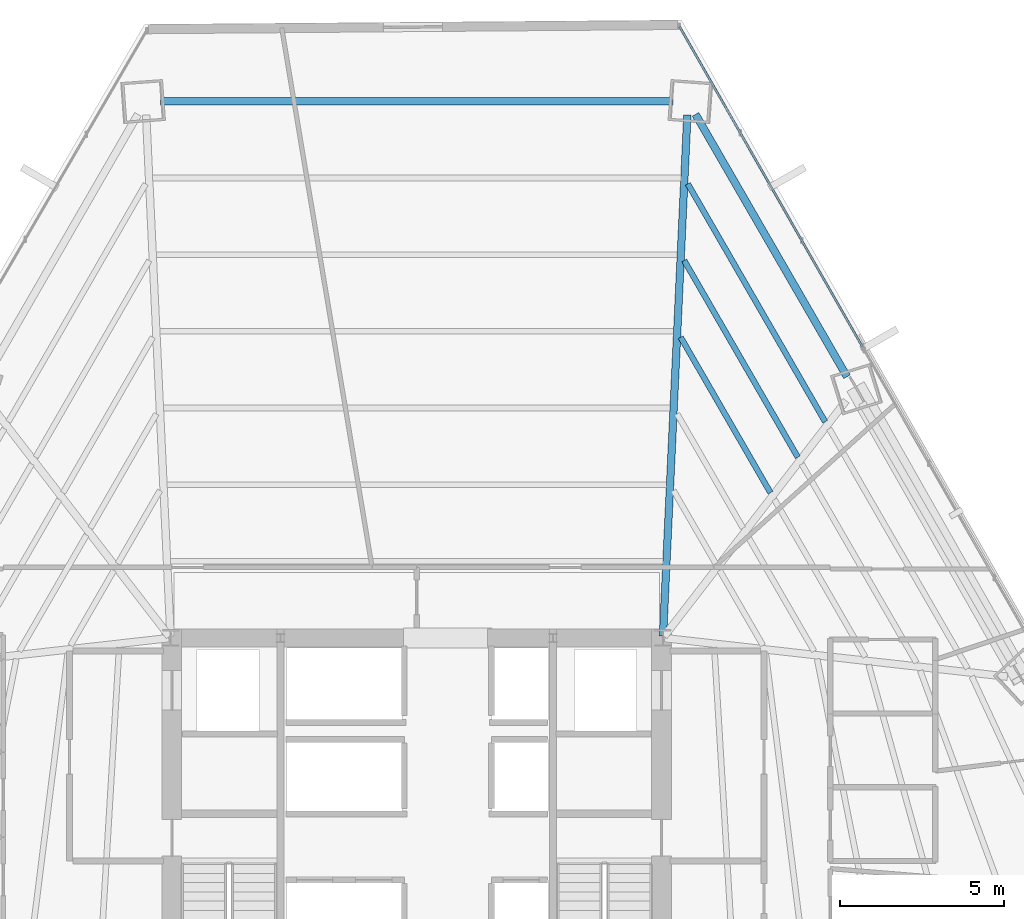
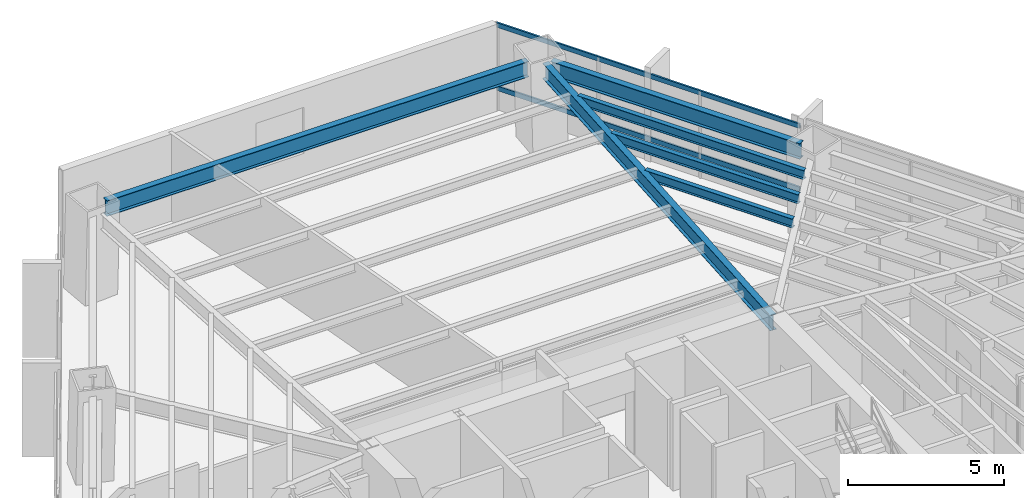
# One storey, part 29 of 38: 6 beams, 2 members, 1 element without a shape of its own.
"""IFC4 building model written with IfcOpenShell, lengths in metres."""

from ifc_helpers import new_model, si_unit, direction, frame, origin, origin_2d, place, context, subcontext, project, spatial, hollow_rectangle, i_section, extrude, source, transform, mapped, material, material_profile, profile_set, type_object, type_shapes, element, aggregate, save


model = new_model("IFC4")

# Units and contexts
model_context = context("Model", 3, precision=1e-05, world=origin(), true_north=direction((0.0, 1.0)))
body_context = subcontext(model_context, "Body", "Model", "MODEL_VIEW")
ifc_project = project(units=[si_unit("LENGTHUNIT", "METRE"), si_unit("AREAUNIT", "SQUARE_METRE"), si_unit("VOLUMEUNIT", "CUBIC_METRE"), si_unit("PLANEANGLEUNIT", "RADIAN"), si_unit("MASSUNIT", "GRAM", prefix="KILO")], contexts=[model_context])

# Site, building, storey
site_placement = place(None, origin())
site = spatial("IfcSite", under=ifc_project, at=site_placement, CompositionType="ELEMENT")
building_placement = place(site_placement, origin())
building = spatial("IfcBuilding", under=site, at=building_placement, Name="Caelisora Broadcast Tower", CompositionType="ELEMENT")
storey_placement = place(building_placement, frame((0.0, 0.0, 67.75)))
storey = spatial("IfcBuildingStorey", under=building, at=storey_placement, Name="L17", CompositionType="ELEMENT", Elevation=67.75)

# Beams
ifc_material_1 = material(Name="Steel Grade 350 (AS/NZS 3679.1)", Category="steel")
ifc_material_profile_1 = material_profile(ifc_material_1, i_section(OverallWidth=0.22900390625, OverallDepth=0.611572265625, WebThickness=0.011962890625, FlangeThickness=0.01953125, at=origin_2d()), Name="Steel Grade 350 (AS/NZS 3679.1)")
ifc_profile_set_1 = profile_set([ifc_material_profile_1], Name="Steel Grade 350 (AS/NZS 3679.1)")
beam_type_1 = type_object("IfcBeamType", Name="PG03", PredefinedType="BEAM", material=ifc_profile_set_1)
shared_shape_1 = source(origin(), body_context, "Body", "SweptSolid", [
    extrude(i_section(OverallWidth=0.22900390625, OverallDepth=0.611572265625, WebThickness=0.011962890625, FlangeThickness=0.01953125, at=origin_2d()), origin(), (0.0, 0.0, 1.0), 15.6103515625),
])
beam_1_placement = place(storey_placement, frame((45.80517578125, 46.34912109375, 3.09423828125), z_axis=(-1.0, 0.0, 0.0), x_axis=(0.0, -1.0, 0.0)))
element("IfcBeam", 1, at=beam_1_placement, inside=storey, type_object=beam_type_1, Name="L17 beam PG03", PredefinedType="BEAM", context=body_context, shape_type="MappedRepresentation", body=[
    mapped(shared_shape_1, transform((0.0, 0.0, 0.0), scale=1.0)),
])
shared_shape_2 = source(origin(), body_context, "Body", "SweptSolid", [
    extrude(i_section(OverallWidth=0.22900390625, OverallDepth=0.611572265625, WebThickness=0.011962890625, FlangeThickness=0.01953125, at=origin_2d()), origin(), (0.0, 0.0, 1.0), 9.22802734375),
])
type_shapes(beam_type_1, [shared_shape_1, shared_shape_2])
beam_2_placement = place(storey_placement, frame((51.109375, 37.958984375, 3.09423828125), z_axis=(-0.500020165129, 0.866013761129, 0.0), x_axis=(-0.866013761129, -0.500020165129, 0.0)))
element("IfcBeam", 2, at=beam_2_placement, inside=storey, type_object=beam_type_1, Name="L17 beam PG03", PredefinedType="BEAM", context=body_context, shape_type="MappedRepresentation", body=[
    mapped(shared_shape_2, transform((0.0, 0.0, 0.0), scale=1.0)),
])
ifc_material_profile_2 = material_profile(ifc_material_1, i_section(OverallWidth=0.22802734375, OverallDepth=0.602294921875, WebThickness=0.010498046875, FlangeThickness=0.014892578125, at=origin_2d()), Name="Steel Grade 350 (AS/NZS 3679.1)")
ifc_profile_set_2 = profile_set([ifc_material_profile_2], Name="Steel Grade 350 (AS/NZS 3679.1)")
beam_type_2 = type_object("IfcBeamType", Name="PG04", PredefinedType="BEAM", material=ifc_profile_set_2)
shared_shape_3 = source(origin(), body_context, "Body", "SweptSolid", [
    extrude(i_section(OverallWidth=0.22802734375, OverallDepth=0.602294921875, WebThickness=0.010498046875, FlangeThickness=0.014892578125, at=origin_2d()), origin(), (0.0, 0.0, 1.0), 15.88720703125),
])
type_shapes(beam_type_2, [shared_shape_3])
beam_3_placement = place(storey_placement, frame((45.502685546875, 30.059814453125, 3.098876953125), z_axis=(0.046762013086, 0.998906058712, 0.0), x_axis=(-0.998906058712, 0.046762013086, 0.0)))
element("IfcBeam", 3, at=beam_3_placement, inside=storey, type_object=beam_type_2, Name="L17 beam PG04", PredefinedType="BEAM", context=body_context, shape_type="MappedRepresentation", body=[
    mapped(shared_shape_3, transform((0.0, 0.0, 0.0), scale=1.0)),
])
ifc_material_profile_3 = material_profile(ifc_material_1, i_section(OverallWidth=0.172119140625, OverallDepth=0.358642578125, WebThickness=0.008056640625, FlangeThickness=0.012939453125, at=origin_2d()), Name="Steel Grade 350 (AS/NZS 3679.1)")
ifc_profile_set_3 = profile_set([ifc_material_profile_3], Name="Steel Grade 350 (AS/NZS 3679.1)")
beam_type_3 = type_object("IfcBeamType", Name="SB02", PredefinedType="JOIST", material=ifc_profile_set_3)
shared_shape_4 = source(origin(), body_context, "Body", "SweptSolid", [
    extrude(i_section(OverallWidth=0.172119140625, OverallDepth=0.358642578125, WebThickness=0.008056640625, FlangeThickness=0.012939453125, at=origin_2d()), origin(), (0.0, 0.0, 1.0), 5.470703125),
])
beam_4_placement = place(storey_placement, frame((48.776611328125, 34.42431640625, 3.220703125), z_axis=(-0.499998014425, 0.866026550154, 0.0), x_axis=(-0.866026550154, -0.499998014425, 0.0)))
element("IfcBeam", 4, at=beam_4_placement, inside=storey, type_object=beam_type_3, Name="L17 beam SB02", PredefinedType="JOIST", context=body_context, shape_type="MappedRepresentation", body=[
    mapped(shared_shape_4, transform((0.0, 0.0, 0.0), scale=1.0)),
])
shared_shape_5 = source(origin(), body_context, "Body", "SweptSolid", [
    extrude(i_section(OverallWidth=0.172119140625, OverallDepth=0.358642578125, WebThickness=0.008056640625, FlangeThickness=0.012939453125, at=origin_2d()), origin(), (0.0, 0.0, 1.0), 6.920654296875),
])
beam_5_placement = place(storey_placement, frame((49.61083984375, 35.50439453125, 3.220703125), z_axis=(-0.499990163897, 0.866031082587, 0.0), x_axis=(-0.866031082587, -0.499990163897, 0.0)))
element("IfcBeam", 5, at=beam_5_placement, inside=storey, type_object=beam_type_3, Name="L17 beam SB02", PredefinedType="JOIST", context=body_context, shape_type="MappedRepresentation", body=[
    mapped(shared_shape_5, transform((0.0, 0.0, 0.0), scale=1.0)),
])
shared_shape_6 = source(origin(), body_context, "Body", "SweptSolid", [
    extrude(i_section(OverallWidth=0.172119140625, OverallDepth=0.358642578125, WebThickness=0.008056640625, FlangeThickness=0.012939453125, at=origin_2d()), origin(), (0.0, 0.0, 1.0), 8.3701171875),
])
type_shapes(beam_type_3, [shared_shape_4, shared_shape_5, shared_shape_6])
beam_6_placement = place(storey_placement, frame((50.445068359375, 36.58447265625, 3.220703125), z_axis=(-0.499997662712, 0.866026753214, 0.0), x_axis=(-0.866026753214, -0.499997662712, 0.0)))
element("IfcBeam", 6, at=beam_6_placement, inside=storey, type_object=beam_type_3, Name="L17 beam SB02", PredefinedType="JOIST", context=body_context, shape_type="MappedRepresentation", body=[
    mapped(shared_shape_6, transform((0.0, 0.0, 0.0), scale=1.0)),
])

# Curtain wall, members
ifc_material_2 = material(Name="Unitised Aluminium and Low-E Glass Curtain Wall", Category="glass")
curtain_wall_type = type_object("IfcCurtainWallType", Name="CW-Z1", PredefinedType="NOTDEFINED", material=ifc_material_2)
curtain_wall_placement = place(storey_placement, origin())
curtain_wall = element("IfcCurtainWall", 7, at=curtain_wall_placement, inside=storey, type_object=curtain_wall_type, Name="L17 curtain wall CW-Z1", PredefinedType="NOTDEFINED")
ifc_material_3 = material(Name="Aluminium 6063-T6 Anodised Terracotta Bronze", Category="aluminium")
ifc_material_profile_4 = material_profile(ifc_material_3, hollow_rectangle(XDim=0.06494140625, YDim=0.179931640625, WallThickness=0.00341796875, at=origin_2d()), Name="Aluminium 6063-T6 Anodised Terracotta Bronze")
ifc_profile_set_4 = profile_set([ifc_material_profile_4], Name="Aluminium 6063-T6 Anodised Terracotta Bronze")
member_type = type_object("IfcMemberType", Name="CWT-01", PredefinedType="USERDEFINED", material=ifc_profile_set_4)
shared_shape_7 = source(origin(), body_context, "Body", "SweptSolid", [
    extrude(hollow_rectangle(XDim=0.06494140625, YDim=0.179931640625, WallThickness=0.00341796875, at=origin_2d()), origin(), (0.0, 0.0, 1.0), 11.24658203125),
])
type_shapes(member_type, [shared_shape_7])
member_1_placement = place(storey_placement, frame((46.00390625, 48.632568359375, 0.85009765625), z_axis=(0.49596359407, -0.868343315376, 0.0), x_axis=(0.868343315376, 0.49596359407, 0.0)))
member_1 = element("IfcMember", 8, at=member_1_placement, type_object=member_type, Name="L17-CW-B01 transom #1", ObjectType="TRANSOM", PredefinedType="USERDEFINED", context=body_context, shape_type="MappedRepresentation", body=[
    mapped(shared_shape_7, transform((0.0, 0.0, 0.0), scale=1.0)),
])
member_2_placement = place(storey_placement, frame((46.00390625, 48.632568359375, 3.320068359375), z_axis=(0.49596359407, -0.868343315376, 0.0), x_axis=(0.868343315376, 0.49596359407, 0.0)))
member_2 = element("IfcMember", 9, at=member_2_placement, type_object=member_type, Name="L17-CW-B01 transom #2", ObjectType="TRANSOM", PredefinedType="USERDEFINED", context=body_context, shape_type="MappedRepresentation", body=[
    mapped(shared_shape_7, transform((0.0, 0.0, 0.0), scale=1.0)),
])
aggregate(curtain_wall, [member_1, member_2])

save(model, "model.ifc")
